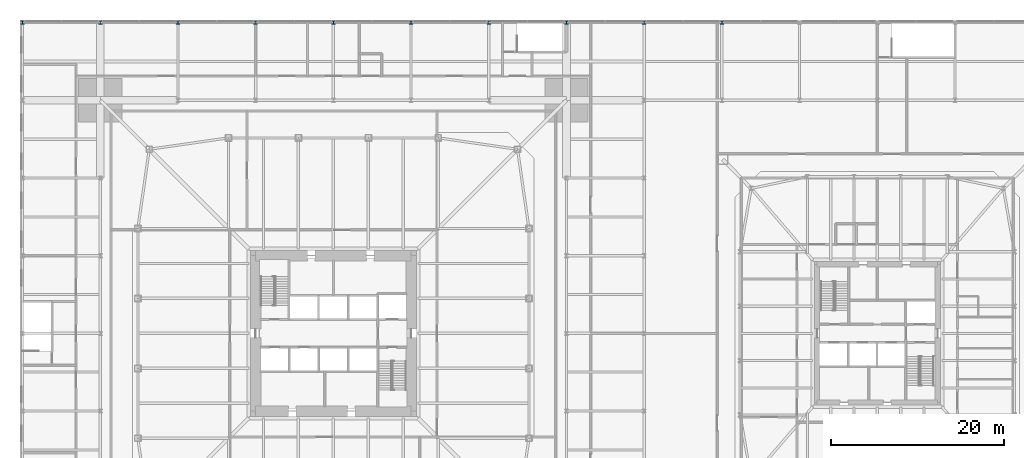
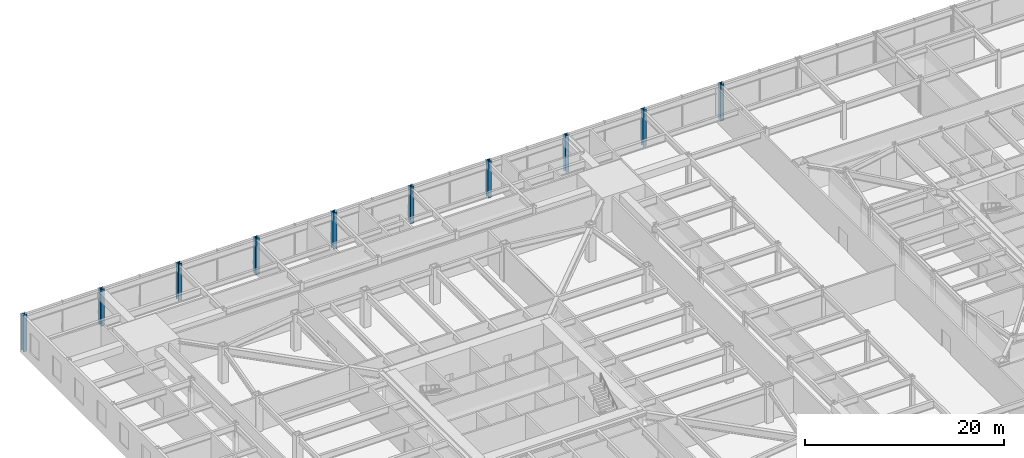
# One storey, part 4 of 30: 10 columns.
"""IFC4 building model written with IfcOpenShell, lengths in metres."""

from ifc_helpers import new_model, si_unit, direction, frame, origin, origin_2d, place, context, subcontext, project, spatial, i_section, extrude, material, material_profile, profile_set, type_object, element, save


model = new_model("IFC4")

# Units and contexts
model_context = context("Model", 3, precision=1e-05, world=origin(), true_north=direction((0.0, 1.0)))
body_context = subcontext(model_context, "Body", "Model", "MODEL_VIEW")
ifc_project = project(units=[si_unit("LENGTHUNIT", "METRE"), si_unit("AREAUNIT", "SQUARE_METRE"), si_unit("VOLUMEUNIT", "CUBIC_METRE"), si_unit("PLANEANGLEUNIT", "RADIAN"), si_unit("MASSUNIT", "GRAM", prefix="KILO")], contexts=[model_context])

# Site, building, storey
site_placement = place(None, origin())
site = spatial("IfcSite", under=ifc_project, at=site_placement, CompositionType="ELEMENT")
building_placement = place(site_placement, origin())
building = spatial("IfcBuilding", under=site, at=building_placement, Name="Iwan Alto Co-Living Towers", CompositionType="ELEMENT")
storey_placement = place(building_placement, frame((0.0, 0.0, 10.5)))
storey = spatial("IfcBuildingStorey", under=building, at=storey_placement, Name="L02", CompositionType="ELEMENT", Elevation=10.5)

# Columns
ifc_material = material(Name="Steel ASTM A992 Gr 50", Category="steel")
ifc_material_profile = material_profile(ifc_material, i_section(OverallWidth=0.411376953125, OverallDepth=0.434326171875, WebThickness=0.035888671875, FlangeThickness=0.057373046875, at=origin_2d()), Name="W14X311")
ifc_profile_set = profile_set([ifc_material_profile], Name="Steel ASTM A992 Gr 50")
column_type = type_object("IfcColumnType", Name="PODIUM COLUMN W14X311", PredefinedType="COLUMN", material=ifc_profile_set)
for number, where, z_axis, x_axis, name in (
    (1, (-36.0, 36.0, 0.0), (0.0, 0.0, 1.0), (1.0, 0.0, 0.0), "Podium column 1/I L02"),
    (2, (-27.0, 36.0, 0.0), (0.0, 0.0, 1.0), (1.0, 0.0, 0.0), "Podium column 2/I L02"),
    (3, (-18.0, 36.0, 0.0), (0.0, 0.0, 1.0), (1.0, 0.0, 0.0), "Podium column 3/I L02"),
    (4, (-9.0, 36.0, 0.0), (0.0, 0.0, 1.0), (1.0, 0.0, 0.0), "Podium column 4/I L02"),
    (5, (0.0, 36.0, 0.0), (0.0, 0.0, 1.0), (1.0, 0.0, 0.0), "Podium column 5/I L02"),
    (6, (9.0, 36.0, 0.0), (0.0, 0.0, 1.0), (1.0, 0.0, 0.0), "Podium column 6/I L02"),
    (7, (18.0, 36.0, 0.0), (0.0, 0.0, 1.0), (1.0, 0.0, 0.0), "Podium column 7/I L02"),
    (8, (27.0, 36.0, 0.0), (0.0, 0.0, 1.0), (1.0, 0.0, 0.0), "Podium column 8/I L02"),
    (9, (36.0, 36.0, 0.0), (0.0, 0.0, 1.0), (1.0, 0.0, 0.0), "Podium column 9/I L02"),
    (10, (45.0, 36.0, 0.0), (0.0, 0.0, 1.0), (1.0, 0.0, 0.0), "Podium column 10/I L02"),
):
    element("IfcColumn", number, at=place(storey_placement, frame(where, z_axis=z_axis, x_axis=x_axis)), inside=storey, type_object=column_type, Name=name, PredefinedType="COLUMN", context=body_context, shape_type="SweptSolid", body=[
        extrude(i_section(OverallWidth=0.411376953125, OverallDepth=0.434326171875, WebThickness=0.035888671875, FlangeThickness=0.057373046875, at=origin_2d()), origin(), (0.0, 0.0, 1.0), 4.5),
    ])

save(model, "model.ifc")
